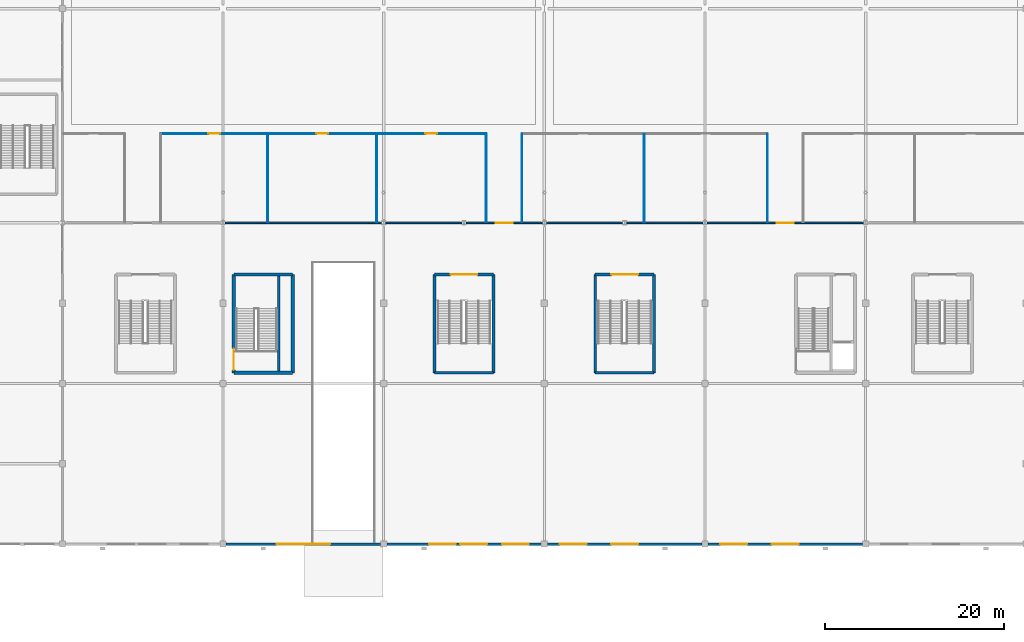
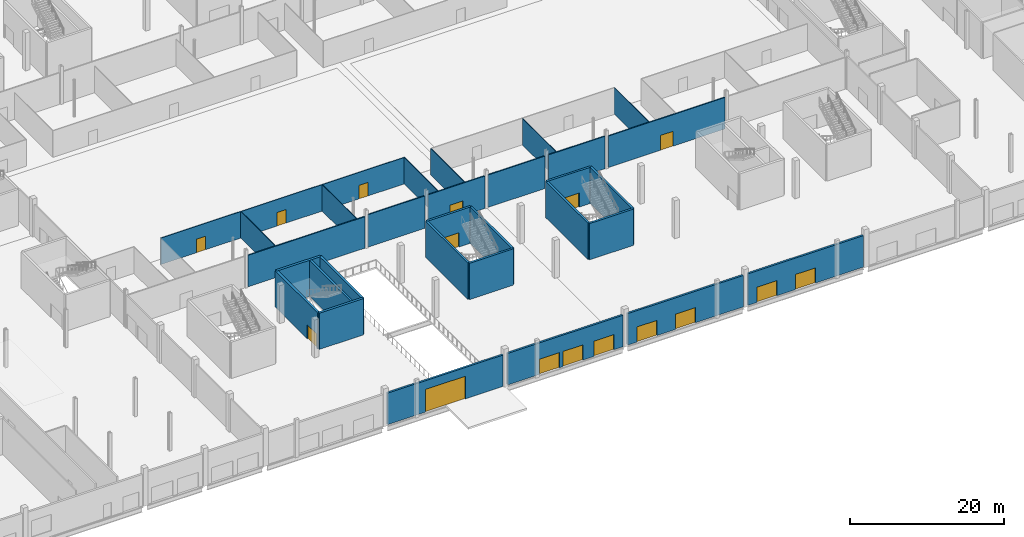
# One storey, part 32 of 84: 30 walls, 16 doors, 16 openings.
"""IFC4 building model written with IfcOpenShell, lengths in metres."""

import ifcopenshell
import ifcopenshell.guid

model = None  # the IFC model being written
_history = None  # IfcOwnerHistory: only IFC2X3 demands one
_inside = {}  # id of a spatial element -> (the spatial element, [elements in it])
_under = {}  # id of a project, library or spatial element -> (it, [spatial elements below it])
_declared = {}  # id of a project -> (the project, [libraries it declares])
_typed = {}  # id of a type object -> (the type object, [elements of that type])
_made_of = {}  # id of a material, layer set ... -> (it, [elements and type objects made of it])


def new_model(schema):
    """Start an empty IFC model of exactly this schema.

    Asked for "IFC4X3", IfcOpenShell would pick the latest addendum, in which some entities
    have other attributes; the version numbers below select the first issue.
    IFC2X3 requires an IfcOwnerHistory on every rooted entity: one is made here for all.
    """
    global model, _history
    if schema == "IFC4X3":
        model = ifcopenshell.file(schema_version=(4, 3, 0, 0))
    else:
        model = ifcopenshell.file(schema=schema)
    _inside.clear()
    _under.clear()
    _declared.clear()
    _typed.clear()
    _made_of.clear()
    _history = None
    if model.schema == "IFC2X3":
        org = make("IfcOrganization", Name="unknown")
        user = make(
            "IfcPersonAndOrganization",
            ThePerson=make("IfcPerson", FamilyName="unknown"),
            TheOrganization=org,
        )
        app = make(
            "IfcApplication",
            ApplicationDeveloper=org,
            Version="unknown",
            ApplicationFullName="unknown",
            ApplicationIdentifier="unknown",
        )
        _history = make(
            "IfcOwnerHistory",
            OwningUser=user,
            OwningApplication=app,
            ChangeAction="ADDED",
            CreationDate=0,
        )
    return model


def make(cls, **values):
    """One entity of the class cls with the attributes given. An attribute that is None is left unset."""
    return model.create_entity(
        cls, **{name: value for name, value in values.items() if value is not None}
    )


def rooted(cls, **values):
    """An entity with a GlobalId (a new one), such as an element, a storey or a relation."""
    return make(cls, GlobalId=ifcopenshell.guid.new(), OwnerHistory=_history, **values)


def si_unit(unit_type, name, prefix=None):
    """IfcSIUnit, for example si_unit("LENGTHUNIT", "METRE", prefix="MILLI")."""
    return make("IfcSIUnit", UnitType=unit_type, Prefix=prefix, Name=name)


def assignment(units):
    """IfcUnitAssignment: the units of a project."""
    return None if units is None else make("IfcUnitAssignment", Units=units)


def point(xyz):
    """IfcCartesianPoint."""
    return None if xyz is None else make("IfcCartesianPoint", Coordinates=xyz)


def direction(xyz):
    """IfcDirection."""
    return None if xyz is None else make("IfcDirection", DirectionRatios=xyz)


def frame(location, z_axis=None, x_axis=None):
    """IfcAxis2Placement3D, a coordinate frame: its origin and axes. An axis left out is left unset."""
    return make(
        "IfcAxis2Placement3D",
        Location=point(location),
        Axis=direction(z_axis),
        RefDirection=direction(x_axis),
    )


def frame_2d(location, x_axis=None):
    """IfcAxis2Placement2D, a coordinate frame in the plane: its origin and x axis."""
    return make(
        "IfcAxis2Placement2D", Location=point(location), RefDirection=direction(x_axis)
    )


def origin():
    """The frame at (0, 0, 0) with its axes left unset."""
    return frame((0.0, 0.0, 0.0))


def place(relative_to, where):
    """IfcLocalPlacement: puts the frame where relative to a parent placement (None: the world)."""
    return make(
        "IfcLocalPlacement", PlacementRelTo=relative_to, RelativePlacement=where
    )


def context(
    kind, dimensions, precision=None, world=None, true_north=None, identifier=None
):
    """IfcGeometricRepresentationContext, for example the 3D "Model" context."""
    return make(
        "IfcGeometricRepresentationContext",
        ContextIdentifier=identifier,
        ContextType=kind,
        CoordinateSpaceDimension=dimensions,
        Precision=precision,
        WorldCoordinateSystem=world,
        TrueNorth=true_north,
    )


def subcontext(parent, identifier, kind, view, scale=None):
    """IfcGeometricRepresentationSubContext, for example "Body" below "Model"."""
    return make(
        "IfcGeometricRepresentationSubContext",
        ContextIdentifier=identifier,
        ContextType=kind,
        ParentContext=parent,
        TargetScale=scale,
        TargetView=view,
    )


def project(units=None, contexts=None):
    """IfcProject with its units and contexts."""
    return rooted(
        "IfcProject",
        Name="project",
        RepresentationContexts=contexts,
        UnitsInContext=assignment(units),
    )


def spatial(cls, under=None, at=None, **own):
    """A site, building, storey or space (cls), placed at a placement, below another one or the project."""
    s = rooted(cls, ObjectPlacement=at, **own)
    if under is not None:
        _under.setdefault(under.id(), (under, []))[1].append(s)
    return s


def profile(cls, at=None, kind="AREA", **sizes):
    """A parametric profile (cls). Its sizes go by their IFC names, for example OverallWidth=200.0."""
    return make(cls, ProfileType=kind, Position=at, **sizes)


def rectangle(**sizes):
    """IfcRectangleProfileDef."""
    return profile("IfcRectangleProfileDef", **sizes)


def extrude(swept, where, along, depth):
    """IfcExtrudedAreaSolid: the profile swept, set in the frame where, extruded along a direction by depth."""
    return make(
        "IfcExtrudedAreaSolid",
        SweptArea=swept,
        Position=where,
        ExtrudedDirection=direction(along),
        Depth=depth,
    )


def shape(context_of_items, identifier, shape_type, items):
    """IfcShapeRepresentation: the items that make up one representation, for example the "Body"."""
    return make(
        "IfcShapeRepresentation",
        ContextOfItems=context_of_items,
        RepresentationIdentifier=identifier,
        RepresentationType=shape_type,
        Items=items,
    )


def material(Name=None, Category=None):
    """IfcMaterial."""
    return make("IfcMaterial", Name=Name, Category=Category)


def layer(
    of_material, thickness, ventilated=None, Name=None, Category=None, Priority=None
):
    """IfcMaterialLayer: one layer of a wall or slab, of a material (None: an air gap)."""
    return make(
        "IfcMaterialLayer",
        Material=of_material,
        LayerThickness=thickness,
        IsVentilated=ventilated,
        Name=Name,
        Category=Category,
        Priority=Priority,
    )


def layer_set(layers, Name=None):
    """IfcMaterialLayerSet."""
    return make("IfcMaterialLayerSet", MaterialLayers=layers, LayerSetName=Name)


def made_of(thing, what):
    """Note that an element or type object is made of a material, layer set ...; save() writes the relation."""
    if what is not None:
        _made_of.setdefault(what.id(), (what, []))[1].append(thing)
    return thing


def type_object(cls, material=None, **own):
    """A type object (cls), such as IfcWallType, which elements share."""
    return made_of(rooted(cls, **own), material)


def element(
    cls,
    number,
    at=None,
    inside=None,
    cuts=None,
    type_object=None,
    material=None,
    context=None,
    identifier="Body",
    shape_type=None,
    held_by="IfcProductDefinitionShape",
    body=None,
    shapes=None,
    **own,
):
    """One element of the class cls, such as IfcWall. Its Tag is "e" and its number.

    at: its placement. inside: the storey or other place that contains it. cuts: it is an
    opening in that element (IfcRelVoidsElement). A single representation is given by context,
    identifier, shape_type and body (its items); several are given by shapes. held_by: the class
    of the entity that holds the representations. save() writes the other relations.
    """
    e = rooted(cls, Tag="e%d" % number, ObjectPlacement=at, **own)
    if body is not None:
        shapes = [shape(context, identifier, shape_type, body)]
    if shapes is not None:
        e.Representation = make(held_by, Representations=shapes)
    if inside is not None:
        _inside.setdefault(inside.id(), (inside, []))[1].append(e)
    if cuts is not None:
        rooted(
            "IfcRelVoidsElement", RelatingBuildingElement=cuts, RelatedOpeningElement=e
        )
    if type_object is not None:
        _typed.setdefault(type_object.id(), (type_object, []))[1].append(e)
    return made_of(e, material)


def fill(opening, filler):
    """IfcRelFillsElement: the door or window that sits in an opening."""
    return rooted(
        "IfcRelFillsElement",
        RelatingOpeningElement=opening,
        RelatedBuildingElement=filler,
    )


def aggregate(whole, parts):
    """IfcRelAggregates: a whole, such as a stair, and the parts it consists of."""
    return rooted("IfcRelAggregates", RelatingObject=whole, RelatedObjects=parts)


def save(model, path):
    """Write the relations noted so far, then the file.

    IfcRelAggregates (storeys below a building ...), IfcRelContainedInSpatialStructure (elements
    in a storey), IfcRelDefinesByType, IfcRelAssociatesMaterial and IfcRelDeclares: one each for
    every whole, place, type object, material and project.
    """
    for whole, parts in _under.values():
        aggregate(whole, parts)
    for where, things in _inside.values():
        rooted(
            "IfcRelContainedInSpatialStructure",
            RelatedElements=things,
            RelatingStructure=where,
        )
    for kind, things in _typed.values():
        rooted("IfcRelDefinesByType", RelatedObjects=things, RelatingType=kind)
    for what, things in _made_of.values():
        rooted("IfcRelAssociatesMaterial", RelatedObjects=things, RelatingMaterial=what)
    for by, libraries in _declared.values():
        rooted("IfcRelDeclares", RelatingContext=by, RelatedDefinitions=libraries)
    model.write(path)


model = new_model("IFC4")

# Units and contexts
model_context = context("Model", 3, precision=1e-05, world=origin(), true_north=direction((0.0, 1.0)))
body_context = subcontext(model_context, "Body", "Model", "MODEL_VIEW")
ifc_project = project(units=[si_unit("LENGTHUNIT", "METRE"), si_unit("AREAUNIT", "SQUARE_METRE"), si_unit("VOLUMEUNIT", "CUBIC_METRE"), si_unit("PLANEANGLEUNIT", "RADIAN"), si_unit("MASSUNIT", "GRAM", prefix="KILO")], contexts=[model_context])

# Site, building, storey
site_placement = place(None, origin())
site = spatial("IfcSite", under=ifc_project, at=site_placement, CompositionType="ELEMENT")
building_placement = place(site_placement, origin())
building = spatial("IfcBuilding", under=site, at=building_placement, Name="Kisiwana Market Hall", CompositionType="ELEMENT")
storey_placement = place(building_placement, origin())
storey = spatial("IfcBuildingStorey", under=building, at=storey_placement, Name="L00", CompositionType="ELEMENT", Elevation=0.0)

# Walls
ifc_material_1 = material(Name="Concrete C40/50", Category="concrete")
ifc_layer_1 = layer(ifc_material_1, 0.320068359375, Name="Reinforced concrete shaft wall")
ifc_layer_set_1 = layer_set([ifc_layer_1], Name="WL-CORE-320")
wall_type_1 = type_object("IfcWallType", Name="WL-CORE-320", PredefinedType="SHEAR", material=ifc_layer_set_1)
wall_1_placement = place(storey_placement, frame((69.239990234375, 19.3798828125, 0.0), z_axis=(0.0, 0.0, 1.0), x_axis=(0.0, 1.0, 0.0)))
element("IfcWall", 1, at=wall_1_placement, inside=storey, type_object=wall_type_1, Name="Core S1 shaft divider W-0375", PredefinedType="SHEAR", context=body_context, shape_type="SweptSolid", body=[
    extrude(rectangle(XDim=10.64013671875, YDim=0.320068359375, at=frame_2d((5.320068359375, 0.0))), origin(), (0.0, 0.0, 1.0), 5.75),
])
wall_2_placement = place(storey_placement, frame((86.699951171875, 19.199951171875, 0.0), z_axis=(0.0, 0.0, 1.0), x_axis=(1.0, 0.0, 0.0)))
element("IfcWall", 2, at=wall_2_placement, inside=storey, type_object=wall_type_1, Name="Core S4 outer shear wall W-0465", PredefinedType="SHEAR", context=body_context, shape_type="SweptSolid", body=[
    extrude(rectangle(XDim=6.60009765625, YDim=0.320068359375, at=frame_2d((3.300048828125, 0.0))), origin(), (0.0, 0.0, 1.0), 5.75),
])

# Wall, opening, door
wall_3_placement = place(storey_placement, frame((86.699951171875, 30.199951171875, 0.0), z_axis=(0.0, 0.0, 1.0), x_axis=(1.0, 0.0, 0.0)))
wall_3 = element("IfcWall", 3, at=wall_3_placement, inside=storey, type_object=wall_type_1, Name="Core S4 corridor shear wall W-0466", PredefinedType="SHEAR", context=body_context, shape_type="SweptSolid", body=[
    extrude(rectangle(XDim=6.60009765625, YDim=0.320068359375, at=frame_2d((3.300048828125, 0.0))), origin(), (0.0, 0.0, 1.0), 5.75),
])
opening_1_placement = place(wall_3_placement, frame((1.800048828125, 0.0, 0.0)))
opening_1 = element("IfcOpeningElement", 4, at=opening_1_placement, cuts=wall_3, Name="Opening DR-L00-035", PredefinedType="OPENING", context=body_context, shape_type="SweptSolid", body=[
    extrude(rectangle(XDim=3.0, YDim=2.25, at=frame_2d((1.5, 1.125))), frame((0.0, 0.171875, 0.0), z_axis=(0.0, -1.0, 0.0), x_axis=(1.0, 0.0, 0.0)), (0.0, 0.0, 1.0), 0.343994140625),
])
ifc_material_2 = material(Name="Steel S275", Category="steel")
door_type_1 = type_object("IfcDoorType", Name="DR-STAIR-FD120-3000", OperationType="DOUBLE_DOOR_SINGLE_SWING", PredefinedType="DOOR", material=ifc_material_2)
door_1_placement = place(opening_1_placement, origin())
door_1 = element("IfcDoor", 5, at=door_1_placement, inside=storey, type_object=door_type_1, Name="Escape Stair S4 Fire Door (L00)", OperationType="DOUBLE_DOOR_SINGLE_SWING", OverallHeight=2.25, OverallWidth=3.0, PredefinedType="DOOR", context=body_context, shape_type="SweptSolid", body=[
    extrude(rectangle(XDim=3.0, YDim=2.25, at=frame_2d((1.5, 1.125))), frame((0.0, 0.02490234375, 0.0), z_axis=(0.0, -1.0, 0.0), x_axis=(1.0, 0.0, 0.0)), (0.0, 0.0, 1.0), 0.050048828125),
])
fill(opening_1, door_1)

# Walls
for number, where, z_axis, x_axis, name in (
    (6, (86.699951171875, 19.199951171875, 0.0), (0.0, 0.0, 1.0), (0.0, 1.0, 0.0), "Core S4 west shear wall W-0467"),
    (7, (93.300048828125, 19.199951171875, 0.0), (0.0, 0.0, 1.0), (0.0, 1.0, 0.0), "Core S4 east shear wall W-0468"),
):
    element("IfcWall", number, at=place(storey_placement, frame(where, z_axis=z_axis, x_axis=x_axis)), inside=storey, type_object=wall_type_1, Name=name, PredefinedType="SHEAR", context=body_context, shape_type="SweptSolid", body=[
        extrude(rectangle(XDim=11.0, YDim=0.320068359375, at=frame_2d((5.5, 0.0))), origin(), (0.0, 0.0, 1.0), 5.75),
    ])
wall_4_placement = place(storey_placement, frame((104.699951171875, 19.199951171875, 0.0), z_axis=(0.0, 0.0, 1.0), x_axis=(1.0, 0.0, 0.0)))
element("IfcWall", 8, at=wall_4_placement, inside=storey, type_object=wall_type_1, Name="Core S5 outer shear wall W-0473", PredefinedType="SHEAR", context=body_context, shape_type="SweptSolid", body=[
    extrude(rectangle(XDim=6.60009765625, YDim=0.320068359375, at=frame_2d((3.300048828125, 0.0))), origin(), (0.0, 0.0, 1.0), 5.75),
])

# Wall, opening, door
wall_5_placement = place(storey_placement, frame((104.699951171875, 30.199951171875, 0.0), z_axis=(0.0, 0.0, 1.0), x_axis=(1.0, 0.0, 0.0)))
wall_5 = element("IfcWall", 9, at=wall_5_placement, inside=storey, type_object=wall_type_1, Name="Core S5 corridor shear wall W-0474", PredefinedType="SHEAR", context=body_context, shape_type="SweptSolid", body=[
    extrude(rectangle(XDim=6.60009765625, YDim=0.320068359375, at=frame_2d((3.300048828125, 0.0))), origin(), (0.0, 0.0, 1.0), 5.75),
])
opening_2_placement = place(wall_5_placement, frame((1.800048828125, 0.0, 0.0)))
opening_2 = element("IfcOpeningElement", 10, at=opening_2_placement, cuts=wall_5, Name="Opening DR-L00-037", PredefinedType="OPENING", context=body_context, shape_type="SweptSolid", body=[
    extrude(rectangle(XDim=3.0, YDim=2.25, at=frame_2d((1.5, 1.125))), frame((0.0, 0.171875, 0.0), z_axis=(0.0, -1.0, 0.0), x_axis=(1.0, 0.0, 0.0)), (0.0, 0.0, 1.0), 0.343994140625),
])
door_2_placement = place(opening_2_placement, origin())
door_2 = element("IfcDoor", 11, at=door_2_placement, inside=storey, type_object=door_type_1, Name="Escape Stair S5 Fire Door (L00)", OperationType="DOUBLE_DOOR_SINGLE_SWING", OverallHeight=2.25, OverallWidth=3.0, PredefinedType="DOOR", context=body_context, shape_type="SweptSolid", body=[
    extrude(rectangle(XDim=3.0, YDim=2.25, at=frame_2d((1.5, 1.125))), frame((0.0, 0.02490234375, 0.0), z_axis=(0.0, -1.0, 0.0), x_axis=(1.0, 0.0, 0.0)), (0.0, 0.0, 1.0), 0.050048828125),
])
fill(opening_2, door_2)

# Walls
for number, where, z_axis, x_axis, name in (
    (12, (104.699951171875, 19.199951171875, 0.0), (0.0, 0.0, 1.0), (0.0, 1.0, 0.0), "Core S5 west shear wall W-0475"),
    (13, (111.300048828125, 19.199951171875, 0.0), (0.0, 0.0, 1.0), (0.0, 1.0, 0.0), "Core S5 east shear wall W-0476"),
):
    element("IfcWall", number, at=place(storey_placement, frame(where, z_axis=z_axis, x_axis=x_axis)), inside=storey, type_object=wall_type_1, Name=name, PredefinedType="SHEAR", context=body_context, shape_type="SweptSolid", body=[
        extrude(rectangle(XDim=11.0, YDim=0.320068359375, at=frame_2d((5.5, 0.0))), origin(), (0.0, 0.0, 1.0), 5.75),
    ])
ifc_material_3 = material(Name="Concrete C40/50", Category="concrete")
ifc_layer_2 = layer(ifc_material_3, 0.360107421875, Name="Reinforced concrete core wall")
ifc_layer_set_2 = layer_set([ifc_layer_2], Name="WL-CORE-360")
wall_type_2 = type_object("IfcWallType", Name="WL-CORE-360", PredefinedType="SHEAR", material=ifc_layer_set_2)
for number, where, z_axis, x_axis, name in (
    (14, (64.199951171875, 19.199951171875, 0.0), (0.0, 0.0, 1.0), (1.0, 0.0, 0.0), "Core S1 south wall W-0371"),
    (15, (64.199951171875, 30.199951171875, 0.0), (0.0, 0.0, 1.0), (1.0, 0.0, 0.0), "Core S1 north wall W-0372"),
):
    element("IfcWall", number, at=place(storey_placement, frame(where, z_axis=z_axis, x_axis=x_axis)), inside=storey, type_object=wall_type_2, Name=name, PredefinedType="SHEAR", context=body_context, shape_type="SweptSolid", body=[
        extrude(rectangle(XDim=6.60009765625, YDim=0.360107421875, at=frame_2d((3.300048828125, 0.0))), origin(), (0.0, 0.0, 1.0), 5.75),
    ])

# Wall, opening, door
wall_6_placement = place(storey_placement, frame((64.199951171875, 19.199951171875, 0.0), z_axis=(0.0, 0.0, 1.0), x_axis=(0.0, 1.0, 0.0)))
wall_6 = element("IfcWall", 16, at=wall_6_placement, inside=storey, type_object=wall_type_2, Name="Core S1 west wall W-0373", PredefinedType="SHEAR", context=body_context, shape_type="SweptSolid", body=[
    extrude(rectangle(XDim=11.0, YDim=0.360107421875, at=frame_2d((5.5, 0.0))), origin(), (0.0, 0.0, 1.0), 5.75),
])
opening_3_placement = place(wall_6_placement, frame((0.300048828125, 0.0, 0.0)))
opening_3 = element("IfcOpeningElement", 17, at=opening_3_placement, cuts=wall_6, Name="Opening DR-L00-013", PredefinedType="OPENING", context=body_context, shape_type="SweptSolid", body=[
    extrude(rectangle(XDim=2.39990234375, YDim=2.25, at=frame_2d((1.199951171875, 1.125))), frame((0.0, 0.19189453125, 0.0), z_axis=(0.0, -1.0, 0.0), x_axis=(1.0, 0.0, 0.0)), (0.0, 0.0, 1.0), 0.384033203125),
])
ifc_material_4 = material(Name="Steel S275", Category="steel")
door_type_2 = type_object("IfcDoorType", Name="DR-STAIR-FD120-2400", OperationType="DOUBLE_DOOR_SINGLE_SWING", PredefinedType="DOOR", material=ifc_material_4)
door_3_placement = place(opening_3_placement, origin())
door_3 = element("IfcDoor", 18, at=door_3_placement, inside=storey, type_object=door_type_2, Name="Podium Escape Stair S1 Fire Door (L00)", OperationType="DOUBLE_DOOR_SINGLE_SWING", OverallHeight=2.25, OverallWidth=2.39990234375, PredefinedType="DOOR", context=body_context, shape_type="SweptSolid", body=[
    extrude(rectangle(XDim=2.39990234375, YDim=2.25, at=frame_2d((1.199951171875, 1.125))), frame((0.0, 0.02490234375, 0.0), z_axis=(0.0, -1.0, 0.0), x_axis=(1.0, 0.0, 0.0)), (0.0, 0.0, 1.0), 0.050048828125),
])
fill(opening_3, door_3)

# Walls
wall_7_placement = place(storey_placement, frame((70.800048828125, 19.199951171875, 0.0), z_axis=(0.0, 0.0, 1.0), x_axis=(0.0, 1.0, 0.0)))
element("IfcWall", 19, at=wall_7_placement, inside=storey, type_object=wall_type_2, Name="Core S1 east wall W-0374", PredefinedType="SHEAR", context=body_context, shape_type="SweptSolid", body=[
    extrude(rectangle(XDim=11.0, YDim=0.360107421875, at=frame_2d((5.5, 0.0))), origin(), (0.0, 0.0, 1.0), 5.75),
])
ifc_material_5 = material(Name="Masonry blockwork", Category="masonry")
ifc_layer_3 = layer(ifc_material_5, 0.169921875, Name="Protected corridor partition")
ifc_layer_set_3 = layer_set([ifc_layer_3], Name="WL-CORR-170")
wall_type_3 = type_object("IfcWallType", Name="WL-CORR-170", PredefinedType="PARTITIONING", material=ifc_layer_set_3)
wall_8_placement = place(storey_placement, frame((63.25, 36.0, 0.0), z_axis=(0.0, 0.0, 1.0), x_axis=(1.0, 0.0, 0.0)))
element("IfcWall", 20, at=wall_8_placement, inside=storey, type_object=wall_type_3, Name="Interior partition W-0627", PredefinedType="PARTITIONING", context=body_context, shape_type="SweptSolid", body=[
    extrude(rectangle(XDim=17.5, YDim=0.169921875, at=frame_2d((8.75, 0.0))), origin(), (0.0, 0.0, 1.0), 4.98779296875),
])
wall_9_placement = place(storey_placement, frame((81.25, 36.0, 0.0), z_axis=(0.0, 0.0, 1.0), x_axis=(1.0, 0.0, 0.0)))
element("IfcWall", 21, at=wall_9_placement, inside=storey, type_object=wall_type_3, Name="Interior partition W-0629", PredefinedType="PARTITIONING", context=body_context, shape_type="SweptSolid", body=[
    extrude(rectangle(XDim=8.5, YDim=0.169921875, at=frame_2d((4.25, 0.0))), origin(), (0.0, 0.0, 1.0), 5.1376953125),
])

# Wall, opening, door
wall_10_placement = place(storey_placement, frame((90.25, 36.0, 0.0), z_axis=(0.0, 0.0, 1.0), x_axis=(1.0, 0.0, 0.0)))
wall_10 = element("IfcWall", 22, at=wall_10_placement, inside=storey, type_object=wall_type_3, Name="Interior partition W-0631", PredefinedType="PARTITIONING", context=body_context, shape_type="SweptSolid", body=[
    extrude(rectangle(XDim=8.5, YDim=0.169921875, at=frame_2d((4.25, 0.0))), origin(), (0.0, 0.0, 1.0), 5.1376953125),
])
opening_4_placement = place(wall_10_placement, frame((3.300048828125, 0.0, 0.0)))
opening_4 = element("IfcOpeningElement", 23, at=opening_4_placement, cuts=wall_10, Name="Opening DR-L00-097", PredefinedType="OPENING", context=body_context, shape_type="SweptSolid", body=[
    extrude(rectangle(XDim=1.89990234375, YDim=2.35009765625, at=frame_2d((0.949951171875, 1.175048828125))), frame((0.0, 0.096923828125, 0.0), z_axis=(0.0, -1.0, 0.0), x_axis=(1.0, 0.0, 0.0)), (0.0, 0.0, 1.0), 0.19384765625),
])
ifc_material_6 = material(Name="Steel S275", Category="steel")
door_type_3 = type_object("IfcDoorType", Name="DR-HALL-1900", OperationType="DOUBLE_DOOR_SINGLE_SWING", PredefinedType="DOOR", material=ifc_material_6)
door_4_placement = place(opening_4_placement, origin())
door_4 = element("IfcDoor", 24, at=door_4_placement, inside=storey, type_object=door_type_3, Name="L00 Market Hall South Archway Door 2", OperationType="DOUBLE_DOOR_SINGLE_SWING", OverallHeight=2.35009765625, OverallWidth=1.89990234375, PredefinedType="DOOR", context=body_context, shape_type="SweptSolid", body=[
    extrude(rectangle(XDim=1.89990234375, YDim=2.35009765625, at=frame_2d((0.949951171875, 1.175048828125))), frame((0.0, 0.02490234375, 0.0), z_axis=(0.0, -1.0, 0.0), x_axis=(1.0, 0.0, 0.0)), (0.0, 0.0, 1.0), 0.050048828125),
])
fill(opening_4, door_4)

# Walls
for number, where, z_axis, x_axis, name in (
    (25, (99.25, 36.0, 0.0), (0.0, 0.0, 1.0), (1.0, 0.0, 0.0), "Interior partition W-0633"),
    (26, (108.25, 36.0, 0.0), (0.0, 0.0, 1.0), (1.0, 0.0, 0.0), "Interior partition W-0635"),
):
    element("IfcWall", number, at=place(storey_placement, frame(where, z_axis=z_axis, x_axis=x_axis)), inside=storey, type_object=wall_type_3, Name=name, PredefinedType="PARTITIONING", context=body_context, shape_type="SweptSolid", body=[
        extrude(rectangle(XDim=8.5, YDim=0.169921875, at=frame_2d((4.25, 0.0))), origin(), (0.0, 0.0, 1.0), 5.1376953125),
    ])

# Wall, opening, door
wall_11_placement = place(storey_placement, frame((117.25, 36.0, 0.0), z_axis=(0.0, 0.0, 1.0), x_axis=(1.0, 0.0, 0.0)))
wall_11 = element("IfcWall", 27, at=wall_11_placement, inside=storey, type_object=wall_type_3, Name="Interior partition W-0637", PredefinedType="PARTITIONING", context=body_context, shape_type="SweptSolid", body=[
    extrude(rectangle(XDim=17.5, YDim=0.169921875, at=frame_2d((8.75, 0.0))), origin(), (0.0, 0.0, 1.0), 4.98779296875),
])
opening_5_placement = place(wall_11_placement, frame((7.800048828125, 0.0, 0.0)))
opening_5 = element("IfcOpeningElement", 28, at=opening_5_placement, cuts=wall_11, Name="Opening DR-L00-099", PredefinedType="OPENING", context=body_context, shape_type="SweptSolid", body=[
    extrude(rectangle(XDim=1.89990234375, YDim=2.35009765625, at=frame_2d((0.949951171875, 1.175048828125))), frame((0.0, 0.096923828125, 0.0), z_axis=(0.0, -1.0, 0.0), x_axis=(1.0, 0.0, 0.0)), (0.0, 0.0, 1.0), 0.19384765625),
])
door_5_placement = place(opening_5_placement, origin())
door_5 = element("IfcDoor", 29, at=door_5_placement, inside=storey, type_object=door_type_3, Name="L00 Market Hall South Archway Door 3", OperationType="DOUBLE_DOOR_SINGLE_SWING", OverallHeight=2.35009765625, OverallWidth=1.89990234375, PredefinedType="DOOR", context=body_context, shape_type="SweptSolid", body=[
    extrude(rectangle(XDim=1.89990234375, YDim=2.35009765625, at=frame_2d((0.949951171875, 1.175048828125))), frame((0.0, 0.02490234375, 0.0), z_axis=(0.0, -1.0, 0.0), x_axis=(1.0, 0.0, 0.0)), (0.0, 0.0, 1.0), 0.050048828125),
])
fill(opening_5, door_5)

ifc_material_7 = material(Name="Masonry blockwork", Category="masonry")
ifc_layer_4 = layer(ifc_material_7, 0.139892578125, Name="Rendered masonry outer leaf")
ifc_material_8 = material(Name="Mineral wool insulation")
ifc_layer_5 = layer(ifc_material_8, 0.074951171875, Name="Mineral wool cavity insulation")
ifc_material_9 = material(Name="Gypsum plasterboard")
ifc_layer_6 = layer(ifc_material_9, 0.074951171875, Name="Calcium silicate inner lining")
ifc_layer_set_4 = layer_set([ifc_layer_4, ifc_layer_5, ifc_layer_6], Name="WL-EXT-MAS-290")
wall_type_4 = type_object("IfcWallType", Name="WL-EXT-MAS-290", PredefinedType="STANDARD", material=ifc_layer_set_4)
wall_12_placement = place(storey_placement, frame((63.342041015625, 0.0, 0.0), z_axis=(0.0, 0.0, 1.0), x_axis=(1.0, 0.0, 0.0)))
wall_12 = element("IfcWall", 30, at=wall_12_placement, inside=storey, type_object=wall_type_4, Name="Exterior wall W-0494", PredefinedType="STANDARD", context=body_context, shape_type="SweptSolid", body=[
    extrude(rectangle(XDim=17.31591796875, YDim=0.2900390625, at=frame_2d((8.657958984375, 0.0))), origin(), (0.0, 0.0, 1.0), 4.98779296875),
])
opening_6_placement = place(wall_12_placement, frame((5.657958984375, 0.0, 0.0)))
opening_6 = element("IfcOpeningElement", 31, at=opening_6_placement, cuts=wall_12, Name="Opening GT-VEH-01", PredefinedType="OPENING", context=body_context, shape_type="SweptSolid", body=[
    extrude(rectangle(XDim=6.0, YDim=3.60009765625, at=frame_2d((3.0, 1.800048828125))), frame((0.0, 0.156982421875, 0.0), z_axis=(0.0, -1.0, 0.0), x_axis=(1.0, 0.0, 0.0)), (0.0, 0.0, 1.0), 0.31396484375),
])
ifc_material_10 = material(Name="Aluminium alloy 6063-T6", Category="aluminium")
door_type_4 = type_object("IfcDoorType", Name="GT-VEH-6000", OperationType="ROLLINGUP", PredefinedType="GATE", material=ifc_material_10)
door_6_placement = place(opening_6_placement, frame((6.0, 0.0, 0.0), z_axis=(0.0, 0.0, 1.0), x_axis=(-1.0, 0.0, 0.0)))
door_6 = element("IfcDoor", 32, at=door_6_placement, inside=storey, type_object=door_type_4, Name="Basement car-park two-way vehicle roller shutter gate GT-VEH-01", OperationType="ROLLINGUP", OverallHeight=3.60009765625, OverallWidth=6.0, PredefinedType="GATE", context=body_context, shape_type="SweptSolid", body=[
    extrude(rectangle(XDim=6.0, YDim=3.60009765625, at=frame_2d((3.0, 1.800048828125))), frame((0.0, 0.02490234375, 0.0), z_axis=(0.0, -1.0, 0.0), x_axis=(1.0, 0.0, 0.0)), (0.0, 0.0, 1.0), 0.050048828125),
])
fill(opening_6, door_6)

# Wall, openings, doors
wall_13_placement = place(storey_placement, frame((81.342041015625, 0.0, 0.0), z_axis=(0.0, 0.0, 1.0), x_axis=(1.0, 0.0, 0.0)))
wall_13 = element("IfcWall", 33, at=wall_13_placement, inside=storey, type_object=wall_type_4, Name="Exterior wall W-0495", PredefinedType="STANDARD", context=body_context, shape_type="SweptSolid", body=[
    extrude(rectangle(XDim=17.31591796875, YDim=0.2900390625, at=frame_2d((8.657958984375, 0.0))), origin(), (0.0, 0.0, 1.0), 4.98779296875),
])
opening_7_placement = place(wall_13_placement, frame((4.736083984375, 0.0, 0.0)))
opening_7 = element("IfcOpeningElement", 34, at=opening_7_placement, cuts=wall_13, Name="Opening DR-L00-812", PredefinedType="OPENING", context=body_context, shape_type="SweptSolid", body=[
    extrude(rectangle(XDim=3.0, YDim=2.39990234375, at=frame_2d((1.5, 1.199951171875))), frame((0.0, 0.156982421875, 0.0), z_axis=(0.0, -1.0, 0.0), x_axis=(1.0, 0.0, 0.0)), (0.0, 0.0, 1.0), 0.31396484375),
])
opening_8_placement = place(wall_13_placement, frame((8.258056640625, 0.0, 0.0)))
opening_8 = element("IfcOpeningElement", 35, at=opening_8_placement, cuts=wall_13, Name="Opening DR-L00-813", PredefinedType="OPENING", context=body_context, shape_type="SweptSolid", body=[
    extrude(rectangle(XDim=3.0, YDim=2.39990234375, at=frame_2d((1.5, 1.199951171875))), frame((0.0, 0.156982421875, 0.0), z_axis=(0.0, -1.0, 0.0), x_axis=(1.0, 0.0, 0.0)), (0.0, 0.0, 1.0), 0.31396484375),
])
opening_9_placement = place(wall_13_placement, frame((12.929931640625, 0.0, 0.0)))
opening_9 = element("IfcOpeningElement", 36, at=opening_9_placement, cuts=wall_13, Name="Opening DR-L00-814", PredefinedType="OPENING", context=body_context, shape_type="SweptSolid", body=[
    extrude(rectangle(XDim=3.0, YDim=2.39990234375, at=frame_2d((1.5, 1.199951171875))), frame((0.0, 0.156982421875, 0.0), z_axis=(0.0, -1.0, 0.0), x_axis=(1.0, 0.0, 0.0)), (0.0, 0.0, 1.0), 0.31396484375),
])
ifc_material_11 = material(Name="Aluminium alloy 6063-T6", Category="aluminium")
door_type_5 = type_object("IfcDoorType", Name="DR-EXT-EX-3000", OperationType="DOUBLE_DOOR_SINGLE_SWING", PredefinedType="DOOR", material=ifc_material_11)
door_7_placement = place(opening_7_placement, frame((3.0, 0.0, 0.0), z_axis=(0.0, 0.0, 1.0), x_axis=(-1.0, 0.0, 0.0)))
door_7 = element("IfcDoor", 37, at=door_7_placement, inside=storey, type_object=door_type_5, Name="Ground avenue pedestrian final exit door DR-L00-812", OperationType="DOUBLE_DOOR_SINGLE_SWING", OverallHeight=2.39990234375, OverallWidth=3.0, PredefinedType="DOOR", context=body_context, shape_type="SweptSolid", body=[
    extrude(rectangle(XDim=3.0, YDim=2.39990234375, at=frame_2d((1.5, 1.199951171875))), frame((0.0, 0.02490234375, 0.0), z_axis=(0.0, -1.0, 0.0), x_axis=(1.0, 0.0, 0.0)), (0.0, 0.0, 1.0), 0.050048828125),
])
fill(opening_7, door_7)
door_8_placement = place(opening_8_placement, frame((3.0, 0.0, 0.0), z_axis=(0.0, 0.0, 1.0), x_axis=(-1.0, 0.0, 0.0)))
door_8 = element("IfcDoor", 38, at=door_8_placement, inside=storey, type_object=door_type_5, Name="Ground avenue pedestrian final exit door DR-L00-813", OperationType="DOUBLE_DOOR_SINGLE_SWING", OverallHeight=2.39990234375, OverallWidth=3.0, PredefinedType="DOOR", context=body_context, shape_type="SweptSolid", body=[
    extrude(rectangle(XDim=3.0, YDim=2.39990234375, at=frame_2d((1.5, 1.199951171875))), frame((0.0, 0.02490234375, 0.0), z_axis=(0.0, -1.0, 0.0), x_axis=(1.0, 0.0, 0.0)), (0.0, 0.0, 1.0), 0.050048828125),
])
fill(opening_8, door_8)
door_9_placement = place(opening_9_placement, frame((3.0, 0.0, 0.0), z_axis=(0.0, 0.0, 1.0), x_axis=(-1.0, 0.0, 0.0)))
door_9 = element("IfcDoor", 39, at=door_9_placement, inside=storey, type_object=door_type_5, Name="Ground avenue pedestrian final exit door DR-L00-814", OperationType="DOUBLE_DOOR_SINGLE_SWING", OverallHeight=2.39990234375, OverallWidth=3.0, PredefinedType="DOOR", context=body_context, shape_type="SweptSolid", body=[
    extrude(rectangle(XDim=3.0, YDim=2.39990234375, at=frame_2d((1.5, 1.199951171875))), frame((0.0, 0.02490234375, 0.0), z_axis=(0.0, -1.0, 0.0), x_axis=(1.0, 0.0, 0.0)), (0.0, 0.0, 1.0), 0.050048828125),
])
fill(opening_9, door_9)

wall_14_placement = place(storey_placement, frame((99.342041015625, 0.0, 0.0), z_axis=(0.0, 0.0, 1.0), x_axis=(1.0, 0.0, 0.0)))
wall_14 = element("IfcWall", 40, at=wall_14_placement, inside=storey, type_object=wall_type_4, Name="Exterior wall W-0496", PredefinedType="STANDARD", context=body_context, shape_type="SweptSolid", body=[
    extrude(rectangle(XDim=17.31591796875, YDim=0.2900390625, at=frame_2d((8.657958984375, 0.0))), origin(), (0.0, 0.0, 1.0), 4.98779296875),
])
opening_10_placement = place(wall_14_placement, frame((1.385986328125, 0.0, 0.0)))
opening_10 = element("IfcOpeningElement", 41, at=opening_10_placement, cuts=wall_14, Name="Opening DR-L00-815", PredefinedType="OPENING", context=body_context, shape_type="SweptSolid", body=[
    extrude(rectangle(XDim=3.0, YDim=2.39990234375, at=frame_2d((1.5, 1.199951171875))), frame((0.0, 0.156982421875, 0.0), z_axis=(0.0, -1.0, 0.0), x_axis=(1.0, 0.0, 0.0)), (0.0, 0.0, 1.0), 0.31396484375),
])
opening_11_placement = place(wall_14_placement, frame((7.157958984375, 0.0, 0.0)))
opening_11 = element("IfcOpeningElement", 42, at=opening_11_placement, cuts=wall_14, Name="Opening DR-L00-816", PredefinedType="OPENING", context=body_context, shape_type="SweptSolid", body=[
    extrude(rectangle(XDim=3.0, YDim=2.39990234375, at=frame_2d((1.5, 1.199951171875))), frame((0.0, 0.156982421875, 0.0), z_axis=(0.0, -1.0, 0.0), x_axis=(1.0, 0.0, 0.0)), (0.0, 0.0, 1.0), 0.31396484375),
])
door_10_placement = place(opening_10_placement, frame((3.0, 0.0, 0.0), z_axis=(0.0, 0.0, 1.0), x_axis=(-1.0, 0.0, 0.0)))
door_10 = element("IfcDoor", 43, at=door_10_placement, inside=storey, type_object=door_type_5, Name="Ground avenue pedestrian final exit door DR-L00-815", OperationType="DOUBLE_DOOR_SINGLE_SWING", OverallHeight=2.39990234375, OverallWidth=3.0, PredefinedType="DOOR", context=body_context, shape_type="SweptSolid", body=[
    extrude(rectangle(XDim=3.0, YDim=2.39990234375, at=frame_2d((1.5, 1.199951171875))), frame((0.0, 0.02490234375, 0.0), z_axis=(0.0, -1.0, 0.0), x_axis=(1.0, 0.0, 0.0)), (0.0, 0.0, 1.0), 0.050048828125),
])
fill(opening_10, door_10)
door_11_placement = place(opening_11_placement, frame((3.0, 0.0, 0.0), z_axis=(0.0, 0.0, 1.0), x_axis=(-1.0, 0.0, 0.0)))
door_11 = element("IfcDoor", 44, at=door_11_placement, inside=storey, type_object=door_type_5, Name="Ground avenue pedestrian final exit door DR-L00-816", OperationType="DOUBLE_DOOR_SINGLE_SWING", OverallHeight=2.39990234375, OverallWidth=3.0, PredefinedType="DOOR", context=body_context, shape_type="SweptSolid", body=[
    extrude(rectangle(XDim=3.0, YDim=2.39990234375, at=frame_2d((1.5, 1.199951171875))), frame((0.0, 0.02490234375, 0.0), z_axis=(0.0, -1.0, 0.0), x_axis=(1.0, 0.0, 0.0)), (0.0, 0.0, 1.0), 0.050048828125),
])
fill(opening_11, door_11)

wall_15_placement = place(storey_placement, frame((117.342041015625, 0.0, 0.0), z_axis=(0.0, 0.0, 1.0), x_axis=(1.0, 0.0, 0.0)))
wall_15 = element("IfcWall", 45, at=wall_15_placement, inside=storey, type_object=wall_type_4, Name="Exterior wall W-0497", PredefinedType="STANDARD", context=body_context, shape_type="SweptSolid", body=[
    extrude(rectangle(XDim=17.31591796875, YDim=0.2900390625, at=frame_2d((8.657958984375, 0.0))), origin(), (0.0, 0.0, 1.0), 4.98779296875),
])
opening_12_placement = place(wall_15_placement, frame((1.385986328125, 0.0, 0.0)))
opening_12 = element("IfcOpeningElement", 46, at=opening_12_placement, cuts=wall_15, Name="Opening DR-L00-817", PredefinedType="OPENING", context=body_context, shape_type="SweptSolid", body=[
    extrude(rectangle(XDim=3.0, YDim=2.39990234375, at=frame_2d((1.5, 1.199951171875))), frame((0.0, 0.156982421875, 0.0), z_axis=(0.0, -1.0, 0.0), x_axis=(1.0, 0.0, 0.0)), (0.0, 0.0, 1.0), 0.31396484375),
])
opening_13_placement = place(wall_15_placement, frame((7.157958984375, 0.0, 0.0)))
opening_13 = element("IfcOpeningElement", 47, at=opening_13_placement, cuts=wall_15, Name="Opening DR-L00-818", PredefinedType="OPENING", context=body_context, shape_type="SweptSolid", body=[
    extrude(rectangle(XDim=3.0, YDim=2.39990234375, at=frame_2d((1.5, 1.199951171875))), frame((0.0, 0.156982421875, 0.0), z_axis=(0.0, -1.0, 0.0), x_axis=(1.0, 0.0, 0.0)), (0.0, 0.0, 1.0), 0.31396484375),
])
door_12_placement = place(opening_12_placement, frame((3.0, 0.0, 0.0), z_axis=(0.0, 0.0, 1.0), x_axis=(-1.0, 0.0, 0.0)))
door_12 = element("IfcDoor", 48, at=door_12_placement, inside=storey, type_object=door_type_5, Name="Ground avenue pedestrian final exit door DR-L00-817", OperationType="DOUBLE_DOOR_SINGLE_SWING", OverallHeight=2.39990234375, OverallWidth=3.0, PredefinedType="DOOR", context=body_context, shape_type="SweptSolid", body=[
    extrude(rectangle(XDim=3.0, YDim=2.39990234375, at=frame_2d((1.5, 1.199951171875))), frame((0.0, 0.02490234375, 0.0), z_axis=(0.0, -1.0, 0.0), x_axis=(1.0, 0.0, 0.0)), (0.0, 0.0, 1.0), 0.050048828125),
])
fill(opening_12, door_12)
door_13_placement = place(opening_13_placement, frame((3.0, 0.0, 0.0), z_axis=(0.0, 0.0, 1.0), x_axis=(-1.0, 0.0, 0.0)))
door_13 = element("IfcDoor", 49, at=door_13_placement, inside=storey, type_object=door_type_5, Name="Ground avenue pedestrian final exit door DR-L00-818", OperationType="DOUBLE_DOOR_SINGLE_SWING", OverallHeight=2.39990234375, OverallWidth=3.0, PredefinedType="DOOR", context=body_context, shape_type="SweptSolid", body=[
    extrude(rectangle(XDim=3.0, YDim=2.39990234375, at=frame_2d((1.5, 1.199951171875))), frame((0.0, 0.02490234375, 0.0), z_axis=(0.0, -1.0, 0.0), x_axis=(1.0, 0.0, 0.0)), (0.0, 0.0, 1.0), 0.050048828125),
])
fill(opening_13, door_13)

# Walls
ifc_material_12 = material(Name="Masonry blockwork", Category="masonry")
ifc_layer_7 = layer(ifc_material_12, 0.10009765625, Name="Tiled stall dwarf/full partition")
ifc_layer_set_5 = layer_set([ifc_layer_7], Name="WL-STALL-100")
wall_type_5 = type_object("IfcWallType", Name="WL-STALL-100", PredefinedType="PARTITIONING", material=ifc_layer_set_5)
for number, where, z_axis, x_axis, name in (
    (50, (68.0, 36.0849609375, 0.0), (0.0, 0.0, 1.0), (0.0, 1.0, 0.0), "Interior partition W-0603"),
    (51, (80.199951171875, 36.0849609375, 0.0), (0.0, 0.0, 1.0), (0.0, 1.0, 0.0), "Interior partition W-0605"),
):
    element("IfcWall", number, at=place(storey_placement, frame(where, z_axis=z_axis, x_axis=x_axis)), inside=storey, type_object=wall_type_5, Name=name, PredefinedType="PARTITIONING", context=body_context, shape_type="SweptSolid", body=[
        extrude(rectangle(XDim=9.864990234375, YDim=0.10009765625, at=frame_2d((4.9326171875, 0.0))), origin(), (0.0, 0.0, 1.0), 4.199951171875),
    ])
wall_16_placement = place(storey_placement, frame((92.5, 36.0849609375, 0.0), z_axis=(0.0, 0.0, 1.0), x_axis=(0.0, 1.0, 0.0)))
element("IfcWall", 52, at=wall_16_placement, inside=storey, type_object=wall_type_5, Name="Interior partition W-0607", PredefinedType="PARTITIONING", context=body_context, shape_type="SweptSolid", body=[
    extrude(rectangle(XDim=9.9150390625, YDim=0.10009765625, at=frame_2d((4.95751953125, 0.0))), origin(), (0.0, 0.0, 1.0), 4.199951171875),
])

# Wall, openings, doors
wall_17_placement = place(storey_placement, frame((56.0, 46.0, 0.0), z_axis=(0.0, 0.0, 1.0), x_axis=(1.0, 0.0, 0.0)))
wall_17 = element("IfcWall", 53, at=wall_17_placement, inside=storey, type_object=wall_type_5, Name="Interior partition W-0609", PredefinedType="PARTITIONING", context=body_context, shape_type="SweptSolid", body=[
    extrude(rectangle(XDim=36.5, YDim=0.10009765625, at=frame_2d((18.25, 0.0))), origin(), (0.0, 0.0, 1.0), 4.199951171875),
])
opening_14_placement = place(wall_17_placement, frame((5.324951171875, 0.0, 0.0)))
opening_14 = element("IfcOpeningElement", 54, at=opening_14_placement, cuts=wall_17, Name="Opening DR-L00-081", PredefinedType="OPENING", context=body_context, shape_type="SweptSolid", body=[
    extrude(rectangle(XDim=1.35009765625, YDim=2.14990234375, at=frame_2d((0.675048828125, 1.074951171875))), frame((0.0, 0.06201171875, 0.0), z_axis=(0.0, -1.0, 0.0), x_axis=(1.0, 0.0, 0.0)), (0.0, 0.0, 1.0), 0.1240234375),
])
opening_15_placement = place(wall_17_placement, frame((17.425048828125, 0.0, 0.0)))
opening_15 = element("IfcOpeningElement", 55, at=opening_15_placement, cuts=wall_17, Name="Opening DR-L00-082", PredefinedType="OPENING", context=body_context, shape_type="SweptSolid", body=[
    extrude(rectangle(XDim=1.35009765625, YDim=2.14990234375, at=frame_2d((0.675048828125, 1.074951171875))), frame((0.0, 0.06201171875, 0.0), z_axis=(0.0, -1.0, 0.0), x_axis=(1.0, 0.0, 0.0)), (0.0, 0.0, 1.0), 0.1240234375),
])
opening_16_placement = place(wall_17_placement, frame((29.675048828125, 0.0, 0.0)))
opening_16 = element("IfcOpeningElement", 56, at=opening_16_placement, cuts=wall_17, Name="Opening DR-L00-083", PredefinedType="OPENING", context=body_context, shape_type="SweptSolid", body=[
    extrude(rectangle(XDim=1.35009765625, YDim=2.14990234375, at=frame_2d((0.675048828125, 1.074951171875))), frame((0.0, 0.06201171875, 0.0), z_axis=(0.0, -1.0, 0.0), x_axis=(1.0, 0.0, 0.0)), (0.0, 0.0, 1.0), 0.1240234375),
])
ifc_material_13 = material(Name="Aluminium alloy 6063-T6", Category="aluminium")
door_type_6 = type_object("IfcDoorType", Name="DR-STALL-1350", OperationType="SLIDING_TO_RIGHT", PredefinedType="DOOR", material=ifc_material_13)
door_14_placement = place(opening_14_placement, origin())
door_14 = element("IfcDoor", 57, at=door_14_placement, inside=storey, type_object=door_type_6, Name="L00 Produce Stall S02 Door", OperationType="SLIDING_TO_RIGHT", OverallHeight=2.14990234375, OverallWidth=1.35009765625, PredefinedType="DOOR", context=body_context, shape_type="SweptSolid", body=[
    extrude(rectangle(XDim=1.35009765625, YDim=2.14990234375, at=frame_2d((0.675048828125, 1.074951171875))), frame((0.0, 0.02490234375, 0.0), z_axis=(0.0, -1.0, 0.0), x_axis=(1.0, 0.0, 0.0)), (0.0, 0.0, 1.0), 0.050048828125),
])
fill(opening_14, door_14)
door_15_placement = place(opening_15_placement, origin())
door_15 = element("IfcDoor", 58, at=door_15_placement, inside=storey, type_object=door_type_6, Name="L00 Spice Stall S03 Door", OperationType="SLIDING_TO_RIGHT", OverallHeight=2.14990234375, OverallWidth=1.35009765625, PredefinedType="DOOR", context=body_context, shape_type="SweptSolid", body=[
    extrude(rectangle(XDim=1.35009765625, YDim=2.14990234375, at=frame_2d((0.675048828125, 1.074951171875))), frame((0.0, 0.02490234375, 0.0), z_axis=(0.0, -1.0, 0.0), x_axis=(1.0, 0.0, 0.0)), (0.0, 0.0, 1.0), 0.050048828125),
])
fill(opening_15, door_15)
door_16_placement = place(opening_16_placement, origin())
door_16 = element("IfcDoor", 59, at=door_16_placement, inside=storey, type_object=door_type_6, Name="L00 Spice Stall S04 Door", OperationType="SLIDING_TO_RIGHT", OverallHeight=2.14990234375, OverallWidth=1.35009765625, PredefinedType="DOOR", context=body_context, shape_type="SweptSolid", body=[
    extrude(rectangle(XDim=1.35009765625, YDim=2.14990234375, at=frame_2d((0.675048828125, 1.074951171875))), frame((0.0, 0.02490234375, 0.0), z_axis=(0.0, -1.0, 0.0), x_axis=(1.0, 0.0, 0.0)), (0.0, 0.0, 1.0), 0.050048828125),
])
fill(opening_16, door_16)

# Walls
wall_18_placement = place(storey_placement, frame((96.5, 36.0849609375, 0.0), z_axis=(0.0, 0.0, 1.0), x_axis=(0.0, 1.0, 0.0)))
element("IfcWall", 60, at=wall_18_placement, inside=storey, type_object=wall_type_5, Name="Interior partition W-0611", PredefinedType="PARTITIONING", context=body_context, shape_type="SweptSolid", body=[
    extrude(rectangle(XDim=9.9150390625, YDim=0.10009765625, at=frame_2d((4.95751953125, 0.0))), origin(), (0.0, 0.0, 1.0), 4.199951171875),
])
wall_19_placement = place(storey_placement, frame((110.199951171875, 36.0849609375, 0.0), z_axis=(0.0, 0.0, 1.0), x_axis=(0.0, 1.0, 0.0)))
element("IfcWall", 61, at=wall_19_placement, inside=storey, type_object=wall_type_5, Name="Interior partition W-0613", PredefinedType="PARTITIONING", context=body_context, shape_type="SweptSolid", body=[
    extrude(rectangle(XDim=9.864990234375, YDim=0.10009765625, at=frame_2d((4.9326171875, 0.0))), origin(), (0.0, 0.0, 1.0), 4.199951171875),
])
wall_20_placement = place(storey_placement, frame((124.0, 36.0849609375, 0.0), z_axis=(0.0, 0.0, 1.0), x_axis=(0.0, 1.0, 0.0)))
element("IfcWall", 62, at=wall_20_placement, inside=storey, type_object=wall_type_5, Name="Interior partition W-0615", PredefinedType="PARTITIONING", context=body_context, shape_type="SweptSolid", body=[
    extrude(rectangle(XDim=9.9150390625, YDim=0.10009765625, at=frame_2d((4.95751953125, 0.0))), origin(), (0.0, 0.0, 1.0), 4.199951171875),
])

save(model, "model.ifc")
